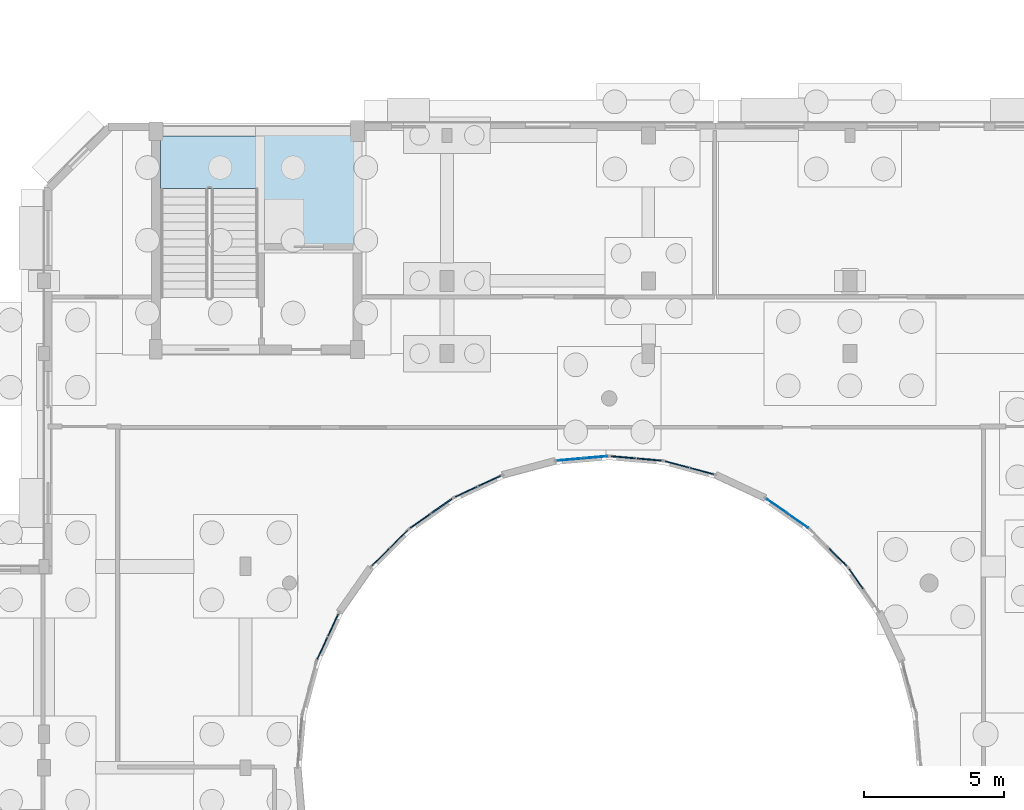
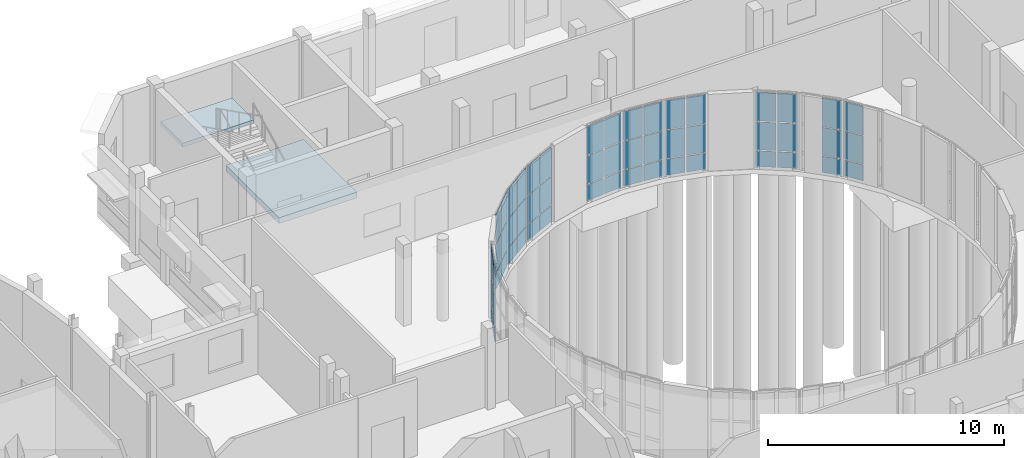
# One storey, part 56 of 93: 54 plates, 2 slabs, 11 elements without a shape of their own.
"""IFC4 building model written with IfcOpenShell, lengths in metres."""

from ifc_helpers import new_model, si_unit, direction, frame, origin, origin_2d, place, context, subcontext, project, spatial, polyline, rectangle, outline, extrude, material, layer, layer_set, type_object, element, aggregate, save


model = new_model("IFC4")

# Units and contexts
model_context = context("Model", 3, precision=1e-05, world=origin(), true_north=direction((0.0, 1.0)))
body_context = subcontext(model_context, "Body", "Model", "MODEL_VIEW")
ifc_project = project(units=[si_unit("LENGTHUNIT", "METRE"), si_unit("AREAUNIT", "SQUARE_METRE"), si_unit("VOLUMEUNIT", "CUBIC_METRE"), si_unit("PLANEANGLEUNIT", "RADIAN"), si_unit("MASSUNIT", "GRAM", prefix="KILO")], contexts=[model_context])

# Site, building, storey
site_placement = place(None, origin())
site = spatial("IfcSite", under=ifc_project, at=site_placement, CompositionType="ELEMENT")
building_placement = place(site_placement, origin())
building = spatial("IfcBuilding", under=site, at=building_placement, Name="Kelanivale Promenade Academy", CompositionType="ELEMENT")
storey_placement = place(building_placement, origin())
storey = spatial("IfcBuildingStorey", under=building, at=storey_placement, Name="L00", CompositionType="ELEMENT", Elevation=0.0)

# Slab
ifc_material_1 = material(Name="Concrete C35/45", Category="concrete")
ifc_layer_1 = layer(ifc_material_1, 0.300048828125)
ifc_layer_set_1 = layer_set([ifc_layer_1], Name="Concrete C35/45")
slab_type_1 = type_object("IfcSlabType", Name="BS-02 Slab 300mm", PredefinedType="BASESLAB", material=ifc_layer_set_1)
slab_1_placement = place(storey_placement, frame((0.0, 0.0, -1.85009765625)))
element("IfcSlab", 1, at=slab_1_placement, inside=storey, type_object=slab_type_1, Name="CORE-4 lift pit waterproof RC base slab (-1.550 m)", PredefinedType="BASESLAB", context=body_context, shape_type="SweptSolid", body=[
    extrude(outline(polyline([(50.7548828125, 75.195068359375), (54.56494140625, 75.195068359375), (54.56494140625, 79.715087890625), (50.7548828125, 79.715087890625), (50.7548828125, 75.195068359375)])), origin(), (0.0, 0.0, 1.0), 0.300048828125),
])

# Curtain wall, plates
ifc_material_2 = material(Name="Bronze anodised aluminium and solar-control low-E glass", Category="aluminium")
ifc_layer_2 = layer(ifc_material_2, 0.169921875)
ifc_layer_set_2 = layer_set([ifc_layer_2], Name="Bronze anodised aluminium and solar-control low-E glass")
curtain_wall_type_1 = type_object("IfcCurtainWallType", Name="CW-04 Curtain Wall 1800mm Module", PredefinedType="USERDEFINED", material=ifc_layer_set_2)
curtain_wall_1_placement = place(storey_placement, origin())
curtain_wall_1 = element("IfcCurtainWall", 2, at=curtain_wall_1_placement, inside=storey, type_object=curtain_wall_type_1, Name="L00 courtyard curtain wall CW-04", ObjectType="UNITISED GLAZING", PredefinedType="USERDEFINED")
ifc_material_3 = material(Name="Solar-control double glazing 28 mm", Category="glass")
ifc_layer_3 = layer(ifc_material_3, 0.028076171875)
ifc_layer_set_3 = layer_set([ifc_layer_3], Name="Solar-control double glazing 28 mm")
plate_type_1 = type_object("IfcPlateType", Name="CWP-01 Plate 28mm", PredefinedType="CURTAIN_PANEL", material=ifc_layer_set_3)
plate_1_placement = place(storey_placement, frame((70.14794921875, 65.623046875, 0.06005859375), z_axis=(0.0, 0.0, 1.0), x_axis=(-0.819305982099, 0.573356527561, 0.0)))
plate_1 = element("IfcPlate", 3, at=plate_1_placement, type_object=plate_type_1, Name="CW-04 panel 1.1", PredefinedType="CURTAIN_PANEL", context=body_context, shape_type="SweptSolid", body=[
    extrude(rectangle(XDim=0.85400390625, YDim=0.028076171875, at=origin_2d()), origin(), (0.0, 0.0, 1.0), 0.81005859375),
])
plate_2_placement = place(storey_placement, frame((70.14794921875, 65.623046875, 0.929931640625), z_axis=(0.0, 0.0, 1.0), x_axis=(-0.819305982099, 0.573356527561, 0.0)))
plate_2 = element("IfcPlate", 4, at=plate_2_placement, type_object=plate_type_1, Name="CW-04 panel 1.2", PredefinedType="CURTAIN_PANEL", context=body_context, shape_type="SweptSolid", body=[
    extrude(rectangle(XDim=0.85400390625, YDim=0.028076171875, at=origin_2d()), origin(), (0.0, 0.0, 1.0), 1.43994140625),
])
plate_3_placement = place(storey_placement, frame((70.14794921875, 65.623046875, 2.43017578125), z_axis=(0.0, 0.0, 1.0), x_axis=(-0.819305982099, 0.573356527561, 0.0)))
plate_3 = element("IfcPlate", 5, at=plate_3_placement, type_object=plate_type_1, Name="CW-04 panel 1.3", PredefinedType="CURTAIN_PANEL", context=body_context, shape_type="SweptSolid", body=[
    extrude(rectangle(XDim=0.85400390625, YDim=0.028076171875, at=origin_2d()), origin(), (0.0, 0.0, 1.0), 1.489990234375),
])
plate_4_placement = place(storey_placement, frame((69.39501953125, 66.14990234375, 0.06005859375), z_axis=(0.0, 0.0, 1.0), x_axis=(-0.819305982099, 0.573356527561, 0.0)))
plate_4 = element("IfcPlate", 6, at=plate_4_placement, type_object=plate_type_1, Name="CW-04 panel 2.1", PredefinedType="CURTAIN_PANEL", context=body_context, shape_type="SweptSolid", body=[
    extrude(rectangle(XDim=0.85400390625, YDim=0.028076171875, at=origin_2d()), origin(), (0.0, 0.0, 1.0), 0.81005859375),
])
plate_5_placement = place(storey_placement, frame((69.39501953125, 66.14990234375, 0.929931640625), z_axis=(0.0, 0.0, 1.0), x_axis=(-0.819305982099, 0.573356527561, 0.0)))
plate_5 = element("IfcPlate", 7, at=plate_5_placement, type_object=plate_type_1, Name="CW-04 panel 2.2", PredefinedType="CURTAIN_PANEL", context=body_context, shape_type="SweptSolid", body=[
    extrude(rectangle(XDim=0.85400390625, YDim=0.028076171875, at=origin_2d()), origin(), (0.0, 0.0, 1.0), 1.43994140625),
])
plate_6_placement = place(storey_placement, frame((69.39501953125, 66.14990234375, 2.43017578125), z_axis=(0.0, 0.0, 1.0), x_axis=(-0.819305982099, 0.573356527561, 0.0)))
plate_6 = element("IfcPlate", 8, at=plate_6_placement, type_object=plate_type_1, Name="CW-04 panel 2.3", PredefinedType="CURTAIN_PANEL", context=body_context, shape_type="SweptSolid", body=[
    extrude(rectangle(XDim=0.85400390625, YDim=0.028076171875, at=origin_2d()), origin(), (0.0, 0.0, 1.0), 1.489990234375),
])
aggregate(curtain_wall_1, [plate_1, plate_2, plate_3, plate_4, plate_5, plate_6])

ifc_layer_4 = layer(ifc_material_2, 0.169921875)
ifc_layer_set_4 = layer_set([ifc_layer_4], Name="Bronze anodised aluminium and solar-control low-E glass")
curtain_wall_type_2 = type_object("IfcCurtainWallType", Name="CW-07 Curtain Wall 1350mm Module", PredefinedType="USERDEFINED", material=ifc_layer_set_4)
curtain_wall_2_placement = place(storey_placement, origin())
curtain_wall_2 = element("IfcCurtainWall", 9, at=curtain_wall_2_placement, inside=storey, type_object=curtain_wall_type_2, Name="L00 courtyard curtain wall CW-07", ObjectType="UNITISED GLAZING", PredefinedType="USERDEFINED")
plate_7_placement = place(storey_placement, frame((62.89794921875, 67.89599609375, 0.0498046875), z_axis=(0.0, 0.0, 1.0), x_axis=(-0.996185153601, -0.087264768066, 0.0)))
plate_7 = element("IfcPlate", 10, at=plate_7_placement, type_object=plate_type_1, Name="CW-07 panel 1.1", PredefinedType="CURTAIN_PANEL", context=body_context, shape_type="SweptSolid", body=[
    extrude(rectangle(XDim=0.853515625, YDim=0.028076171875, at=origin_2d()), origin(), (0.0, 0.0, 1.0), 0.824951171875),
])
plate_8_placement = place(storey_placement, frame((62.89794921875, 67.89599609375, 0.9248046875), z_axis=(0.0, 0.0, 1.0), x_axis=(-0.996185153601, -0.087264768066, 0.0)))
plate_8 = element("IfcPlate", 11, at=plate_8_placement, type_object=plate_type_1, Name="CW-07 panel 1.2", PredefinedType="CURTAIN_PANEL", context=body_context, shape_type="SweptSolid", body=[
    extrude(rectangle(XDim=0.853515625, YDim=0.028076171875, at=origin_2d()), origin(), (0.0, 0.0, 1.0), 1.449951171875),
])
plate_9_placement = place(storey_placement, frame((62.89794921875, 67.89599609375, 2.425048828125), z_axis=(0.0, 0.0, 1.0), x_axis=(-0.996185153601, -0.087264768066, 0.0)))
plate_9 = element("IfcPlate", 12, at=plate_9_placement, type_object=plate_type_1, Name="CW-07 panel 1.3", PredefinedType="CURTAIN_PANEL", context=body_context, shape_type="SweptSolid", body=[
    extrude(rectangle(XDim=0.853515625, YDim=0.028076171875, at=origin_2d()), origin(), (0.0, 0.0, 1.0), 1.5048828125),
])
plate_10_placement = place(storey_placement, frame((61.98291015625, 67.81591796875, 0.0498046875), z_axis=(0.0, 0.0, 1.0), x_axis=(-0.996185153601, -0.087264768066, 0.0)))
plate_10 = element("IfcPlate", 13, at=plate_10_placement, type_object=plate_type_1, Name="CW-07 panel 2.1", PredefinedType="CURTAIN_PANEL", context=body_context, shape_type="SweptSolid", body=[
    extrude(rectangle(XDim=0.853515625, YDim=0.028076171875, at=origin_2d()), origin(), (0.0, 0.0, 1.0), 0.824951171875),
])
plate_11_placement = place(storey_placement, frame((61.98291015625, 67.81591796875, 0.9248046875), z_axis=(0.0, 0.0, 1.0), x_axis=(-0.996185153601, -0.087264768066, 0.0)))
plate_11 = element("IfcPlate", 14, at=plate_11_placement, type_object=plate_type_1, Name="CW-07 panel 2.2", PredefinedType="CURTAIN_PANEL", context=body_context, shape_type="SweptSolid", body=[
    extrude(rectangle(XDim=0.853515625, YDim=0.028076171875, at=origin_2d()), origin(), (0.0, 0.0, 1.0), 1.449951171875),
])
plate_12_placement = place(storey_placement, frame((61.98291015625, 67.81591796875, 2.425048828125), z_axis=(0.0, 0.0, 1.0), x_axis=(-0.996185153601, -0.087264768066, 0.0)))
plate_12 = element("IfcPlate", 15, at=plate_12_placement, type_object=plate_type_1, Name="CW-07 panel 2.3", PredefinedType="CURTAIN_PANEL", context=body_context, shape_type="SweptSolid", body=[
    extrude(rectangle(XDim=0.853515625, YDim=0.028076171875, at=origin_2d()), origin(), (0.0, 0.0, 1.0), 1.5048828125),
])
aggregate(curtain_wall_2, [plate_7, plate_8, plate_9, plate_10, plate_11, plate_12])

ifc_layer_5 = layer(ifc_material_2, 0.169921875)
ifc_layer_set_5 = layer_set([ifc_layer_5], Name="Bronze anodised aluminium and solar-control low-E glass")
curtain_wall_type_3 = type_object("IfcCurtainWallType", Name="CW-10 Curtain Wall 1800mm Module", PredefinedType="USERDEFINED", material=ifc_layer_set_5)
curtain_wall_3_placement = place(storey_placement, origin())
curtain_wall_3 = element("IfcCurtainWall", 16, at=curtain_wall_3_placement, inside=storey, type_object=curtain_wall_type_3, Name="L00 courtyard curtain wall CW-10", ObjectType="UNITISED GLAZING", PredefinedType="USERDEFINED")
plate_13_placement = place(storey_placement, frame((55.88330078125, 64.978271484375, 0.0498046875), z_axis=(0.0, 0.0, 1.0), x_axis=(-0.707106781187, -0.707106781187, 0.0)))
plate_13 = element("IfcPlate", 17, at=plate_13_placement, type_object=plate_type_1, Name="CW-10 panel 1.1", PredefinedType="CURTAIN_PANEL", context=body_context, shape_type="SweptSolid", body=[
    extrude(rectangle(XDim=0.8603515625, YDim=0.028076171875, at=origin_2d()), origin(), (0.0, 0.0, 1.0), 0.824951171875),
])
plate_14_placement = place(storey_placement, frame((55.88330078125, 64.978271484375, 0.9248046875), z_axis=(0.0, 0.0, 1.0), x_axis=(-0.707106781187, -0.707106781187, 0.0)))
plate_14 = element("IfcPlate", 18, at=plate_14_placement, type_object=plate_type_1, Name="CW-10 panel 1.2", PredefinedType="CURTAIN_PANEL", context=body_context, shape_type="SweptSolid", body=[
    extrude(rectangle(XDim=0.8603515625, YDim=0.028076171875, at=origin_2d()), origin(), (0.0, 0.0, 1.0), 1.449951171875),
])
plate_15_placement = place(storey_placement, frame((55.88330078125, 64.978271484375, 2.425048828125), z_axis=(0.0, 0.0, 1.0), x_axis=(-0.707106781187, -0.707106781187, 0.0)))
plate_15 = element("IfcPlate", 19, at=plate_15_placement, type_object=plate_type_1, Name="CW-10 panel 1.3", PredefinedType="CURTAIN_PANEL", context=body_context, shape_type="SweptSolid", body=[
    extrude(rectangle(XDim=0.8603515625, YDim=0.028076171875, at=origin_2d()), origin(), (0.0, 0.0, 1.0), 1.5048828125),
])
plate_16_placement = place(storey_placement, frame((55.232666015625, 64.32763671875, 0.0498046875), z_axis=(0.0, 0.0, 1.0), x_axis=(-0.707106781187, -0.707106781187, 0.0)))
plate_16 = element("IfcPlate", 20, at=plate_16_placement, type_object=plate_type_1, Name="CW-10 panel 2.1", PredefinedType="CURTAIN_PANEL", context=body_context, shape_type="SweptSolid", body=[
    extrude(rectangle(XDim=0.8603515625, YDim=0.028076171875, at=origin_2d()), origin(), (0.0, 0.0, 1.0), 0.824951171875),
])
plate_17_placement = place(storey_placement, frame((55.232666015625, 64.32763671875, 0.9248046875), z_axis=(0.0, 0.0, 1.0), x_axis=(-0.707106781187, -0.707106781187, 0.0)))
plate_17 = element("IfcPlate", 21, at=plate_17_placement, type_object=plate_type_1, Name="CW-10 panel 2.2", PredefinedType="CURTAIN_PANEL", context=body_context, shape_type="SweptSolid", body=[
    extrude(rectangle(XDim=0.8603515625, YDim=0.028076171875, at=origin_2d()), origin(), (0.0, 0.0, 1.0), 1.449951171875),
])
plate_18_placement = place(storey_placement, frame((55.232666015625, 64.32763671875, 2.425048828125), z_axis=(0.0, 0.0, 1.0), x_axis=(-0.707106781187, -0.707106781187, 0.0)))
plate_18 = element("IfcPlate", 22, at=plate_18_placement, type_object=plate_type_1, Name="CW-10 panel 2.3", PredefinedType="CURTAIN_PANEL", context=body_context, shape_type="SweptSolid", body=[
    extrude(rectangle(XDim=0.8603515625, YDim=0.028076171875, at=origin_2d()), origin(), (0.0, 0.0, 1.0), 1.5048828125),
])
aggregate(curtain_wall_3, [plate_13, plate_14, plate_15, plate_16, plate_17, plate_18])

ifc_layer_6 = layer(ifc_material_2, 0.179931640625)
ifc_layer_set_6 = layer_set([ifc_layer_6], Name="Bronze anodised aluminium and solar-control low-E glass")
curtain_wall_type_4 = type_object("IfcCurtainWallType", Name="CW-02 Curtain Wall 1500mm Module", PredefinedType="USERDEFINED", material=ifc_layer_set_6)
curtain_wall_4_placement = place(storey_placement, origin())
curtain_wall_4 = element("IfcCurtainWall", 23, at=curtain_wall_4_placement, inside=storey, type_object=curtain_wall_type_4, Name="L00 courtyard curtain wall CW-02", ObjectType="UNITISED GLAZING", PredefinedType="USERDEFINED")
ifc_material_4 = material(Name="Acoustic laminated double glazing 36 mm", Category="glass")
ifc_layer_7 = layer(ifc_material_4, 0.035888671875)
ifc_layer_set_7 = layer_set([ifc_layer_7], Name="Acoustic laminated double glazing 36 mm")
plate_type_2 = type_object("IfcPlateType", Name="CWP-02 Plate 36mm", PredefinedType="CURTAIN_PANEL", material=ifc_layer_set_7)
plate_19_placement = place(storey_placement, frame((72.222412109375, 63.549072265625, 0.0498046875), z_axis=(0.0, 0.0, 1.0), x_axis=(-0.573356527561, 0.819305982099, 0.0)))
plate_19 = element("IfcPlate", 24, at=plate_19_placement, type_object=plate_type_2, Name="CW-02 panel 2.1", PredefinedType="CURTAIN_PANEL", context=body_context, shape_type="SweptSolid", body=[
    extrude(rectangle(XDim=0.861328125, YDim=0.035888671875, at=origin_2d()), origin(), (0.0, 0.0, 1.0), 0.824951171875),
])
plate_20_placement = place(storey_placement, frame((72.222412109375, 63.549072265625, 0.9248046875), z_axis=(0.0, 0.0, 1.0), x_axis=(-0.573356527561, 0.819305982099, 0.0)))
plate_20 = element("IfcPlate", 25, at=plate_20_placement, type_object=plate_type_2, Name="CW-02 panel 2.2", PredefinedType="CURTAIN_PANEL", context=body_context, shape_type="SweptSolid", body=[
    extrude(rectangle(XDim=0.861328125, YDim=0.035888671875, at=origin_2d()), origin(), (0.0, 0.0, 1.0), 1.449951171875),
])
plate_21_placement = place(storey_placement, frame((72.222412109375, 63.549072265625, 2.425048828125), z_axis=(0.0, 0.0, 1.0), x_axis=(-0.573356527561, 0.819305982099, 0.0)))
plate_21 = element("IfcPlate", 26, at=plate_21_placement, type_object=plate_type_2, Name="CW-02 panel 2.3", PredefinedType="CURTAIN_PANEL", context=body_context, shape_type="SweptSolid", body=[
    extrude(rectangle(XDim=0.861328125, YDim=0.035888671875, at=origin_2d()), origin(), (0.0, 0.0, 1.0), 1.5048828125),
])
aggregate(curtain_wall_4, [plate_19, plate_20, plate_21])

ifc_layer_8 = layer(ifc_material_2, 0.179931640625)
ifc_layer_set_8 = layer_set([ifc_layer_8], Name="Bronze anodised aluminium and solar-control low-E glass")
curtain_wall_type_5 = type_object("IfcCurtainWallType", Name="CW-05 Curtain Wall 1950mm Module", PredefinedType="USERDEFINED", material=ifc_layer_set_8)
curtain_wall_5_placement = place(storey_placement, origin())
curtain_wall_5 = element("IfcCurtainWall", 27, at=curtain_wall_5_placement, inside=storey, type_object=curtain_wall_type_5, Name="L00 courtyard curtain wall CW-05", ObjectType="UNITISED GLAZING", PredefinedType="USERDEFINED")
plate_22_placement = place(storey_placement, frame((66.7099609375, 67.40283203125, 0.0498046875), z_axis=(0.0, 0.0, 1.0), x_axis=(-0.965990259056, 0.258578458902, 0.0)))
plate_22 = element("IfcPlate", 28, at=plate_22_placement, type_object=plate_type_2, Name="CW-05 panel 1.1", PredefinedType="CURTAIN_PANEL", context=body_context, shape_type="SweptSolid", body=[
    extrude(rectangle(XDim=0.861328125, YDim=0.035888671875, at=origin_2d()), origin(), (0.0, 0.0, 1.0), 0.824951171875),
])
plate_23_placement = place(storey_placement, frame((66.7099609375, 67.40283203125, 0.9248046875), z_axis=(0.0, 0.0, 1.0), x_axis=(-0.965990259056, 0.258578458902, 0.0)))
plate_23 = element("IfcPlate", 29, at=plate_23_placement, type_object=plate_type_2, Name="CW-05 panel 1.2", PredefinedType="CURTAIN_PANEL", context=body_context, shape_type="SweptSolid", body=[
    extrude(rectangle(XDim=0.861328125, YDim=0.035888671875, at=origin_2d()), origin(), (0.0, 0.0, 1.0), 1.449951171875),
])
plate_24_placement = place(storey_placement, frame((66.7099609375, 67.40283203125, 2.425048828125), z_axis=(0.0, 0.0, 1.0), x_axis=(-0.965990259056, 0.258578458902, 0.0)))
plate_24 = element("IfcPlate", 30, at=plate_24_placement, type_object=plate_type_2, Name="CW-05 panel 1.3", PredefinedType="CURTAIN_PANEL", context=body_context, shape_type="SweptSolid", body=[
    extrude(rectangle(XDim=0.861328125, YDim=0.035888671875, at=origin_2d()), origin(), (0.0, 0.0, 1.0), 1.5048828125),
])
plate_25_placement = place(storey_placement, frame((65.820068359375, 67.64111328125, 0.0498046875), z_axis=(0.0, 0.0, 1.0), x_axis=(-0.965990259056, 0.258578458902, 0.0)))
plate_25 = element("IfcPlate", 31, at=plate_25_placement, type_object=plate_type_2, Name="CW-05 panel 2.1", PredefinedType="CURTAIN_PANEL", context=body_context, shape_type="SweptSolid", body=[
    extrude(rectangle(XDim=0.861328125, YDim=0.035888671875, at=origin_2d()), origin(), (0.0, 0.0, 1.0), 0.824951171875),
])
plate_26_placement = place(storey_placement, frame((65.820068359375, 67.64111328125, 0.9248046875), z_axis=(0.0, 0.0, 1.0), x_axis=(-0.965990259056, 0.258578458902, 0.0)))
plate_26 = element("IfcPlate", 32, at=plate_26_placement, type_object=plate_type_2, Name="CW-05 panel 2.2", PredefinedType="CURTAIN_PANEL", context=body_context, shape_type="SweptSolid", body=[
    extrude(rectangle(XDim=0.861328125, YDim=0.035888671875, at=origin_2d()), origin(), (0.0, 0.0, 1.0), 1.449951171875),
])
plate_27_placement = place(storey_placement, frame((65.820068359375, 67.64111328125, 2.425048828125), z_axis=(0.0, 0.0, 1.0), x_axis=(-0.965990259056, 0.258578458902, 0.0)))
plate_27 = element("IfcPlate", 33, at=plate_27_placement, type_object=plate_type_2, Name="CW-05 panel 2.3", PredefinedType="CURTAIN_PANEL", context=body_context, shape_type="SweptSolid", body=[
    extrude(rectangle(XDim=0.861328125, YDim=0.035888671875, at=origin_2d()), origin(), (0.0, 0.0, 1.0), 1.5048828125),
])
aggregate(curtain_wall_5, [plate_22, plate_23, plate_24, plate_25, plate_26, plate_27])

ifc_layer_9 = layer(ifc_material_2, 0.179931640625)
ifc_layer_set_9 = layer_set([ifc_layer_9], Name="Bronze anodised aluminium and solar-control low-E glass")
curtain_wall_type_6 = type_object("IfcCurtainWallType", Name="CW-08 Curtain Wall 1500mm Module", PredefinedType="USERDEFINED", material=ifc_layer_set_9)
curtain_wall_6_placement = place(storey_placement, origin())
curtain_wall_6 = element("IfcCurtainWall", 34, at=curtain_wall_6_placement, inside=storey, type_object=curtain_wall_type_6, Name="L00 courtyard curtain wall CW-08", ObjectType="UNITISED GLAZING", PredefinedType="USERDEFINED")
plate_28_placement = place(storey_placement, frame((59.119384765625, 67.0498046875, 0.06005859375), z_axis=(0.0, 0.0, 1.0), x_axis=(-0.906089128146, -0.423086860887, 0.0)))
plate_28 = element("IfcPlate", 35, at=plate_28_placement, type_object=plate_type_2, Name="CW-08 panel 1.1", PredefinedType="CURTAIN_PANEL", context=body_context, shape_type="SweptSolid", body=[
    extrude(rectangle(XDim=0.853759765625, YDim=0.035888671875, at=origin_2d()), origin(), (0.0, 0.0, 1.0), 0.81005859375),
])
plate_29_placement = place(storey_placement, frame((59.119384765625, 67.0498046875, 0.929931640625), z_axis=(0.0, 0.0, 1.0), x_axis=(-0.906089128146, -0.423086860887, 0.0)))
plate_29 = element("IfcPlate", 36, at=plate_29_placement, type_object=plate_type_2, Name="CW-08 panel 1.2", PredefinedType="CURTAIN_PANEL", context=body_context, shape_type="SweptSolid", body=[
    extrude(rectangle(XDim=0.853759765625, YDim=0.035888671875, at=origin_2d()), origin(), (0.0, 0.0, 1.0), 1.43994140625),
])
plate_30_placement = place(storey_placement, frame((59.119384765625, 67.0498046875, 2.43017578125), z_axis=(0.0, 0.0, 1.0), x_axis=(-0.906089128146, -0.423086860887, 0.0)))
plate_30 = element("IfcPlate", 37, at=plate_30_placement, type_object=plate_type_2, Name="CW-08 panel 1.3", PredefinedType="CURTAIN_PANEL", context=body_context, shape_type="SweptSolid", body=[
    extrude(rectangle(XDim=0.853759765625, YDim=0.035888671875, at=origin_2d()), origin(), (0.0, 0.0, 1.0), 1.489990234375),
])
plate_31_placement = place(storey_placement, frame((58.28662109375, 66.6611328125, 0.06005859375), z_axis=(0.0, 0.0, 1.0), x_axis=(-0.906089128146, -0.423086860887, 0.0)))
plate_31 = element("IfcPlate", 38, at=plate_31_placement, type_object=plate_type_2, Name="CW-08 panel 2.1", PredefinedType="CURTAIN_PANEL", context=body_context, shape_type="SweptSolid", body=[
    extrude(rectangle(XDim=0.853759765625, YDim=0.035888671875, at=origin_2d()), origin(), (0.0, 0.0, 1.0), 0.81005859375),
])
plate_32_placement = place(storey_placement, frame((58.28662109375, 66.6611328125, 0.929931640625), z_axis=(0.0, 0.0, 1.0), x_axis=(-0.906089128146, -0.423086860887, 0.0)))
plate_32 = element("IfcPlate", 39, at=plate_32_placement, type_object=plate_type_2, Name="CW-08 panel 2.2", PredefinedType="CURTAIN_PANEL", context=body_context, shape_type="SweptSolid", body=[
    extrude(rectangle(XDim=0.853759765625, YDim=0.035888671875, at=origin_2d()), origin(), (0.0, 0.0, 1.0), 1.43994140625),
])
plate_33_placement = place(storey_placement, frame((58.28662109375, 66.6611328125, 2.43017578125), z_axis=(0.0, 0.0, 1.0), x_axis=(-0.906089128146, -0.423086860887, 0.0)))
plate_33 = element("IfcPlate", 40, at=plate_33_placement, type_object=plate_type_2, Name="CW-08 panel 2.3", PredefinedType="CURTAIN_PANEL", context=body_context, shape_type="SweptSolid", body=[
    extrude(rectangle(XDim=0.853759765625, YDim=0.035888671875, at=origin_2d()), origin(), (0.0, 0.0, 1.0), 1.489990234375),
])
aggregate(curtain_wall_6, [plate_28, plate_29, plate_30, plate_31, plate_32, plate_33])

ifc_layer_10 = layer(ifc_material_2, 0.179931640625)
ifc_layer_set_10 = layer_set([ifc_layer_10], Name="Bronze anodised aluminium and solar-control low-E glass")
curtain_wall_type_7 = type_object("IfcCurtainWallType", Name="CW-11 Curtain Wall 1950mm Module", PredefinedType="USERDEFINED", material=ifc_layer_set_10)
curtain_wall_7_placement = place(storey_placement, origin())
curtain_wall_7 = element("IfcCurtainWall", 41, at=curtain_wall_7_placement, inside=storey, type_object=curtain_wall_type_7, Name="L00 courtyard curtain wall CW-11", ObjectType="UNITISED GLAZING", PredefinedType="USERDEFINED")
plate_34_placement = place(storey_placement, frame((53.532958984375, 61.899169921875, 0.0498046875), z_axis=(0.0, 0.0, 1.0), x_axis=(-0.423086860887, -0.906089128146, 0.0)))
plate_34 = element("IfcPlate", 42, at=plate_34_placement, type_object=plate_type_2, Name="CW-11 panel 1.1", PredefinedType="CURTAIN_PANEL", context=body_context, shape_type="SweptSolid", body=[
    extrude(rectangle(XDim=0.853759765625, YDim=0.035888671875, at=origin_2d()), origin(), (0.0, 0.0, 1.0), 0.824951171875),
])
plate_35_placement = place(storey_placement, frame((53.532958984375, 61.899169921875, 0.9248046875), z_axis=(0.0, 0.0, 1.0), x_axis=(-0.423086860887, -0.906089128146, 0.0)))
plate_35 = element("IfcPlate", 43, at=plate_35_placement, type_object=plate_type_2, Name="CW-11 panel 1.2", PredefinedType="CURTAIN_PANEL", context=body_context, shape_type="SweptSolid", body=[
    extrude(rectangle(XDim=0.853759765625, YDim=0.035888671875, at=origin_2d()), origin(), (0.0, 0.0, 1.0), 1.449951171875),
])
plate_36_placement = place(storey_placement, frame((53.532958984375, 61.899169921875, 2.425048828125), z_axis=(0.0, 0.0, 1.0), x_axis=(-0.423086860887, -0.906089128146, 0.0)))
plate_36 = element("IfcPlate", 44, at=plate_36_placement, type_object=plate_type_2, Name="CW-11 panel 1.3", PredefinedType="CURTAIN_PANEL", context=body_context, shape_type="SweptSolid", body=[
    extrude(rectangle(XDim=0.853759765625, YDim=0.035888671875, at=origin_2d()), origin(), (0.0, 0.0, 1.0), 1.5048828125),
])
plate_37_placement = place(storey_placement, frame((53.14404296875, 61.066650390625, 0.0498046875), z_axis=(0.0, 0.0, 1.0), x_axis=(-0.423086860887, -0.906089128146, 0.0)))
plate_37 = element("IfcPlate", 45, at=plate_37_placement, type_object=plate_type_2, Name="CW-11 panel 2.1", PredefinedType="CURTAIN_PANEL", context=body_context, shape_type="SweptSolid", body=[
    extrude(rectangle(XDim=0.853759765625, YDim=0.035888671875, at=origin_2d()), origin(), (0.0, 0.0, 1.0), 0.824951171875),
])
plate_38_placement = place(storey_placement, frame((53.14404296875, 61.066650390625, 0.9248046875), z_axis=(0.0, 0.0, 1.0), x_axis=(-0.423086860887, -0.906089128146, 0.0)))
plate_38 = element("IfcPlate", 46, at=plate_38_placement, type_object=plate_type_2, Name="CW-11 panel 2.2", PredefinedType="CURTAIN_PANEL", context=body_context, shape_type="SweptSolid", body=[
    extrude(rectangle(XDim=0.853759765625, YDim=0.035888671875, at=origin_2d()), origin(), (0.0, 0.0, 1.0), 1.449951171875),
])
plate_39_placement = place(storey_placement, frame((53.14404296875, 61.066650390625, 2.425048828125), z_axis=(0.0, 0.0, 1.0), x_axis=(-0.423086860887, -0.906089128146, 0.0)))
plate_39 = element("IfcPlate", 47, at=plate_39_placement, type_object=plate_type_2, Name="CW-11 panel 2.3", PredefinedType="CURTAIN_PANEL", context=body_context, shape_type="SweptSolid", body=[
    extrude(rectangle(XDim=0.853759765625, YDim=0.035888671875, at=origin_2d()), origin(), (0.0, 0.0, 1.0), 1.5048828125),
])
aggregate(curtain_wall_7, [plate_34, plate_35, plate_36, plate_37, plate_38, plate_39])

ifc_layer_11 = layer(ifc_material_2, 0.159912109375)
ifc_layer_set_11 = layer_set([ifc_layer_11], Name="Bronze anodised aluminium and solar-control low-E glass")
curtain_wall_type_8 = type_object("IfcCurtainWallType", Name="CW-03 Curtain Wall 1650mm Module", PredefinedType="USERDEFINED", material=ifc_layer_set_11)
curtain_wall_8_placement = place(storey_placement, origin())
curtain_wall_8 = element("IfcCurtainWall", 48, at=curtain_wall_8_placement, inside=storey, type_object=curtain_wall_type_8, Name="L00 courtyard curtain wall CW-03", ObjectType="UNITISED GLAZING", PredefinedType="USERDEFINED")
ifc_material_5 = material(Name="Insulated bronze aluminium spandrel panel 44 mm", Category="aluminium")
ifc_layer_12 = layer(ifc_material_5, 0.0439453125)
ifc_layer_set_12 = layer_set([ifc_layer_12], Name="Insulated bronze aluminium spandrel panel 44 mm")
plate_type_3 = type_object("IfcPlateType", Name="CWP-03 Plate 44mm", PredefinedType="CURTAIN_PANEL", material=ifc_layer_set_12)
plate_40_placement = place(storey_placement, frame((71.57470703125, 64.3203125, 0.0498046875), z_axis=(0.0, 0.0, 1.0), x_axis=(-0.707106781187, 0.707106781187, 0.0)))
plate_40 = element("IfcPlate", 49, at=plate_40_placement, type_object=plate_type_3, Name="CW-03 panel 1.1", PredefinedType="CURTAIN_PANEL", context=body_context, shape_type="SweptSolid", body=[
    extrude(rectangle(XDim=0.860595703125, YDim=0.0439453125, at=origin_2d()), origin(), (0.0, 0.0, 1.0), 0.824951171875),
])
plate_41_placement = place(storey_placement, frame((71.57470703125, 64.3203125, 0.9248046875), z_axis=(0.0, 0.0, 1.0), x_axis=(-0.707106781187, 0.707106781187, 0.0)))
plate_41 = element("IfcPlate", 50, at=plate_41_placement, type_object=plate_type_3, Name="CW-03 panel 1.2", PredefinedType="CURTAIN_PANEL", context=body_context, shape_type="SweptSolid", body=[
    extrude(rectangle(XDim=0.860595703125, YDim=0.0439453125, at=origin_2d()), origin(), (0.0, 0.0, 1.0), 1.449951171875),
])
plate_42_placement = place(storey_placement, frame((71.57470703125, 64.3203125, 2.425048828125), z_axis=(0.0, 0.0, 1.0), x_axis=(-0.707106781187, 0.707106781187, 0.0)))
plate_42 = element("IfcPlate", 51, at=plate_42_placement, type_object=plate_type_3, Name="CW-03 panel 1.3", PredefinedType="CURTAIN_PANEL", context=body_context, shape_type="SweptSolid", body=[
    extrude(rectangle(XDim=0.860595703125, YDim=0.0439453125, at=origin_2d()), origin(), (0.0, 0.0, 1.0), 1.5048828125),
])
aggregate(curtain_wall_8, [plate_40, plate_41, plate_42])

ifc_layer_13 = layer(ifc_material_2, 0.159912109375)
ifc_layer_set_13 = layer_set([ifc_layer_13], Name="Bronze anodised aluminium and solar-control low-E glass")
curtain_wall_type_9 = type_object("IfcCurtainWallType", Name="CW-06 Curtain Wall 1200mm Module", PredefinedType="USERDEFINED", material=ifc_layer_set_13)
curtain_wall_9_placement = place(storey_placement, origin())
curtain_wall_9 = element("IfcCurtainWall", 52, at=curtain_wall_9_placement, inside=storey, type_object=curtain_wall_type_9, Name="L00 courtyard curtain wall CW-06", ObjectType="UNITISED GLAZING", PredefinedType="USERDEFINED")
plate_43_placement = place(storey_placement, frame((64.82958984375, 67.81494140625, 0.0498046875), z_axis=(0.0, 0.0, 1.0), x_axis=(-0.996199376727, 0.087102249164, 0.0)))
plate_43 = element("IfcPlate", 53, at=plate_43_placement, type_object=plate_type_3, Name="CW-06 panel 1.1", PredefinedType="CURTAIN_PANEL", context=body_context, shape_type="SweptSolid", body=[
    extrude(rectangle(XDim=0.86865234375, YDim=0.0439453125, at=origin_2d()), origin(), (0.0, 0.0, 1.0), 0.824951171875),
])
plate_44_placement = place(storey_placement, frame((64.82958984375, 67.81494140625, 0.9248046875), z_axis=(0.0, 0.0, 1.0), x_axis=(-0.996199376727, 0.087102249164, 0.0)))
plate_44 = element("IfcPlate", 54, at=plate_44_placement, type_object=plate_type_3, Name="CW-06 panel 1.2", PredefinedType="CURTAIN_PANEL", context=body_context, shape_type="SweptSolid", body=[
    extrude(rectangle(XDim=0.86865234375, YDim=0.0439453125, at=origin_2d()), origin(), (0.0, 0.0, 1.0), 1.449951171875),
])
plate_45_placement = place(storey_placement, frame((64.82958984375, 67.81494140625, 2.425048828125), z_axis=(0.0, 0.0, 1.0), x_axis=(-0.996199376727, 0.087102249164, 0.0)))
plate_45 = element("IfcPlate", 55, at=plate_45_placement, type_object=plate_type_3, Name="CW-06 panel 1.3", PredefinedType="CURTAIN_PANEL", context=body_context, shape_type="SweptSolid", body=[
    extrude(rectangle(XDim=0.86865234375, YDim=0.0439453125, at=origin_2d()), origin(), (0.0, 0.0, 1.0), 1.5048828125),
])
plate_46_placement = place(storey_placement, frame((63.904541015625, 67.89599609375, 0.0498046875), z_axis=(0.0, 0.0, 1.0), x_axis=(-0.996199376727, 0.087102249164, 0.0)))
plate_46 = element("IfcPlate", 56, at=plate_46_placement, type_object=plate_type_3, Name="CW-06 panel 2.1", PredefinedType="CURTAIN_PANEL", context=body_context, shape_type="SweptSolid", body=[
    extrude(rectangle(XDim=0.86865234375, YDim=0.0439453125, at=origin_2d()), origin(), (0.0, 0.0, 1.0), 0.824951171875),
])
plate_47_placement = place(storey_placement, frame((63.904541015625, 67.89599609375, 0.9248046875), z_axis=(0.0, 0.0, 1.0), x_axis=(-0.996199376727, 0.087102249164, 0.0)))
plate_47 = element("IfcPlate", 57, at=plate_47_placement, type_object=plate_type_3, Name="CW-06 panel 2.2", PredefinedType="CURTAIN_PANEL", context=body_context, shape_type="SweptSolid", body=[
    extrude(rectangle(XDim=0.86865234375, YDim=0.0439453125, at=origin_2d()), origin(), (0.0, 0.0, 1.0), 1.449951171875),
])
plate_48_placement = place(storey_placement, frame((63.904541015625, 67.89599609375, 2.425048828125), z_axis=(0.0, 0.0, 1.0), x_axis=(-0.996199376727, 0.087102249164, 0.0)))
plate_48 = element("IfcPlate", 58, at=plate_48_placement, type_object=plate_type_3, Name="CW-06 panel 2.3", PredefinedType="CURTAIN_PANEL", context=body_context, shape_type="SweptSolid", body=[
    extrude(rectangle(XDim=0.86865234375, YDim=0.0439453125, at=origin_2d()), origin(), (0.0, 0.0, 1.0), 1.5048828125),
])
aggregate(curtain_wall_9, [plate_43, plate_44, plate_45, plate_46, plate_47, plate_48])

ifc_layer_14 = layer(ifc_material_2, 0.159912109375)
ifc_layer_set_14 = layer_set([ifc_layer_14], Name="Bronze anodised aluminium and solar-control low-E glass")
curtain_wall_type_10 = type_object("IfcCurtainWallType", Name="CW-09 Curtain Wall 1650mm Module", PredefinedType="USERDEFINED", material=ifc_layer_set_14)
curtain_wall_10_placement = place(storey_placement, origin())
curtain_wall_10 = element("IfcCurtainWall", 59, at=curtain_wall_10_placement, inside=storey, type_object=curtain_wall_type_10, Name="L00 courtyard curtain wall CW-09", ObjectType="UNITISED GLAZING", PredefinedType="USERDEFINED")
plate_49_placement = place(storey_placement, frame((57.4150390625, 66.157470703125, 0.0498046875), z_axis=(0.0, 0.0, 1.0), x_axis=(-0.81915842439, -0.573567324515, 0.0)))
plate_49 = element("IfcPlate", 60, at=plate_49_placement, type_object=plate_type_3, Name="CW-09 panel 1.1", PredefinedType="CURTAIN_PANEL", context=body_context, shape_type="SweptSolid", body=[
    extrude(rectangle(XDim=0.868896484375, YDim=0.0439453125, at=origin_2d()), origin(), (0.0, 0.0, 1.0), 0.824951171875),
])
plate_50_placement = place(storey_placement, frame((57.4150390625, 66.157470703125, 0.9248046875), z_axis=(0.0, 0.0, 1.0), x_axis=(-0.81915842439, -0.573567324515, 0.0)))
plate_50 = element("IfcPlate", 61, at=plate_50_placement, type_object=plate_type_3, Name="CW-09 panel 1.2", PredefinedType="CURTAIN_PANEL", context=body_context, shape_type="SweptSolid", body=[
    extrude(rectangle(XDim=0.868896484375, YDim=0.0439453125, at=origin_2d()), origin(), (0.0, 0.0, 1.0), 1.449951171875),
])
plate_51_placement = place(storey_placement, frame((57.4150390625, 66.157470703125, 2.425048828125), z_axis=(0.0, 0.0, 1.0), x_axis=(-0.81915842439, -0.573567324515, 0.0)))
plate_51 = element("IfcPlate", 62, at=plate_51_placement, type_object=plate_type_3, Name="CW-09 panel 1.3", PredefinedType="CURTAIN_PANEL", context=body_context, shape_type="SweptSolid", body=[
    extrude(rectangle(XDim=0.868896484375, YDim=0.0439453125, at=origin_2d()), origin(), (0.0, 0.0, 1.0), 1.5048828125),
])
plate_52_placement = place(storey_placement, frame((56.654052734375, 65.62451171875, 0.0498046875), z_axis=(0.0, 0.0, 1.0), x_axis=(-0.81915842439, -0.573567324515, 0.0)))
plate_52 = element("IfcPlate", 63, at=plate_52_placement, type_object=plate_type_3, Name="CW-09 panel 2.1", PredefinedType="CURTAIN_PANEL", context=body_context, shape_type="SweptSolid", body=[
    extrude(rectangle(XDim=0.868896484375, YDim=0.0439453125, at=origin_2d()), origin(), (0.0, 0.0, 1.0), 0.824951171875),
])
plate_53_placement = place(storey_placement, frame((56.654052734375, 65.62451171875, 0.9248046875), z_axis=(0.0, 0.0, 1.0), x_axis=(-0.81915842439, -0.573567324515, 0.0)))
plate_53 = element("IfcPlate", 64, at=plate_53_placement, type_object=plate_type_3, Name="CW-09 panel 2.2", PredefinedType="CURTAIN_PANEL", context=body_context, shape_type="SweptSolid", body=[
    extrude(rectangle(XDim=0.868896484375, YDim=0.0439453125, at=origin_2d()), origin(), (0.0, 0.0, 1.0), 1.449951171875),
])
plate_54_placement = place(storey_placement, frame((56.654052734375, 65.62451171875, 2.425048828125), z_axis=(0.0, 0.0, 1.0), x_axis=(-0.81915842439, -0.573567324515, 0.0)))
plate_54 = element("IfcPlate", 65, at=plate_54_placement, type_object=plate_type_3, Name="CW-09 panel 2.3", PredefinedType="CURTAIN_PANEL", context=body_context, shape_type="SweptSolid", body=[
    extrude(rectangle(XDim=0.868896484375, YDim=0.0439453125, at=origin_2d()), origin(), (0.0, 0.0, 1.0), 1.5048828125),
])
aggregate(curtain_wall_10, [plate_49, plate_50, plate_51, plate_52, plate_53, plate_54])

# Stair, slab
stair_type = type_object("IfcStairType", Name="ST-T01 Protected dog-leg ground-storey stai", PredefinedType="HALF_TURN_STAIR", material=ifc_material_1)
stair_placement = place(storey_placement, origin())
stair = element("IfcStair", 66, at=stair_placement, inside=storey, type_object=stair_type, Name="L00 ST-04", PredefinedType="HALF_TURN_STAIR")
ifc_layer_15 = layer(ifc_material_1, 0.199951171875)
ifc_layer_set_15 = layer_set([ifc_layer_15], Name="Concrete C35/45")
slab_type_2 = type_object("IfcSlabType", Name="LS-01 Slab 200mm", PredefinedType="LANDING", material=ifc_layer_set_15)
slab_2_placement = place(storey_placement, frame((0.0, 0.0, 1.89990234375)))
slab_2 = element("IfcSlab", 67, at=slab_2_placement, type_object=slab_type_2, Name="ST-04 landing 1", PredefinedType="LANDING", context=body_context, shape_type="SweptSolid", body=[
    extrude(outline(polyline([(50.864990234375, 77.5048828125), (50.864990234375, 79.385009765625), (47.364990234375, 79.385009765625), (47.364990234375, 77.5048828125), (50.864990234375, 77.5048828125)])), origin(), (0.0, 0.0, 1.0), 0.2001953125),
])
aggregate(stair, [slab_2])

save(model, "model.ifc")
